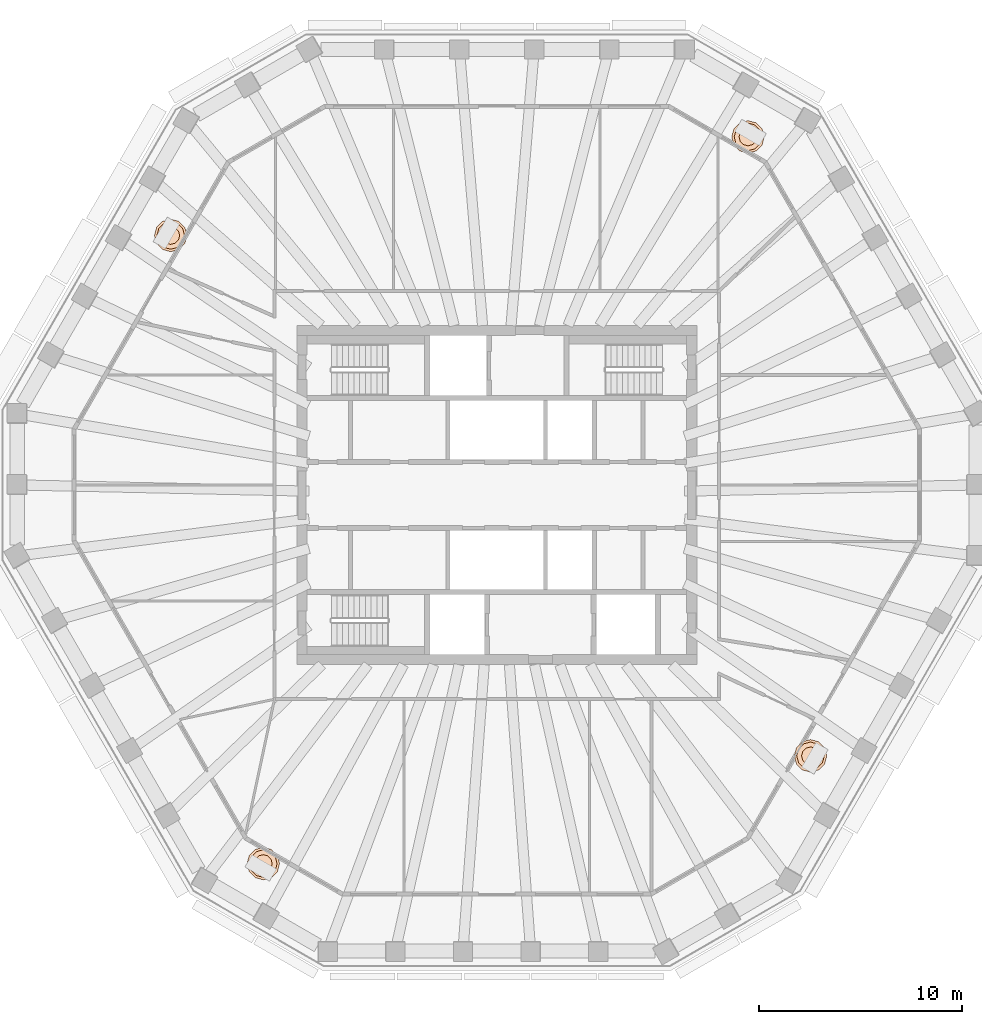
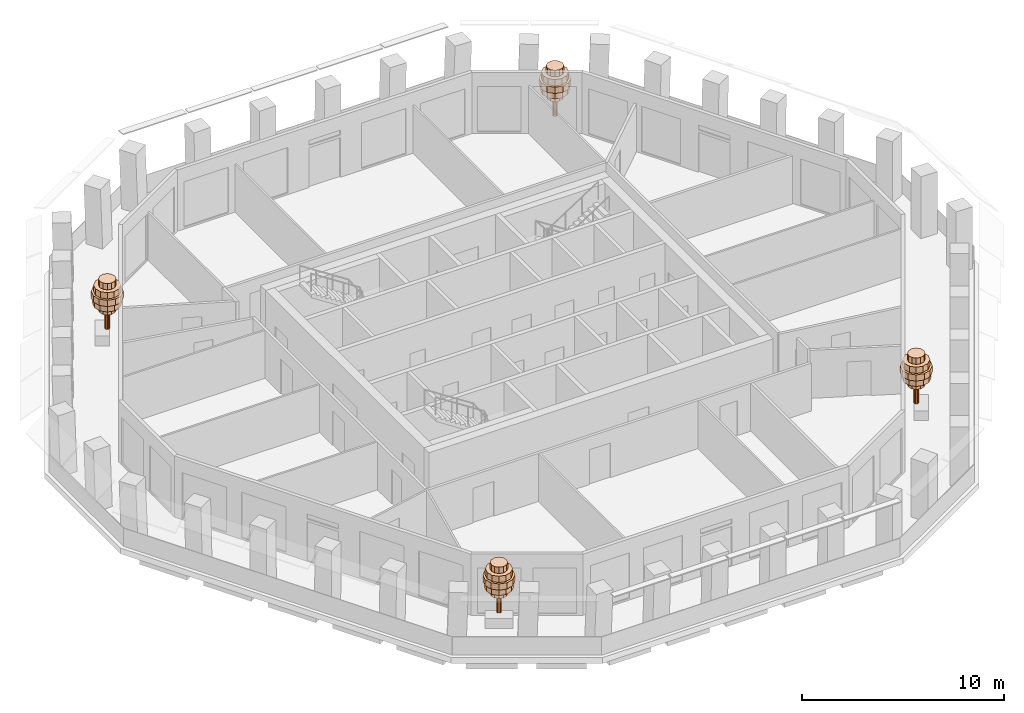
# One storey, part 11 of 11: 4 geographic elements.
"""IFC4 building model written with IfcOpenShell, lengths in metres."""

from ifc_helpers import new_model, si_unit, direction, frame, origin, place, context, subcontext, project, spatial, polyline, outline, extrude, material, type_object, element, save


model = new_model("IFC4")

# Units and contexts
model_context = context("Model", 3, precision=1e-05, world=origin(), true_north=direction((0.0, 1.0)))
body_context = subcontext(model_context, "Body", "Model", "MODEL_VIEW")
ifc_project = project(units=[si_unit("LENGTHUNIT", "METRE"), si_unit("AREAUNIT", "SQUARE_METRE"), si_unit("VOLUMEUNIT", "CUBIC_METRE"), si_unit("PLANEANGLEUNIT", "RADIAN"), si_unit("MASSUNIT", "GRAM", prefix="KILO")], contexts=[model_context])

# Site, building, storey
site_placement = place(None, origin())
site = spatial("IfcSite", under=ifc_project, at=site_placement, CompositionType="ELEMENT")
building_placement = place(site_placement, origin())
building = spatial("IfcBuilding", under=site, at=building_placement, Name="Frailejon Research Tower", CompositionType="ELEMENT")
storey_placement = place(building_placement, frame((0.0, 0.0, 279.0)))
storey = spatial("IfcBuildingStorey", under=building, at=storey_placement, Name="L61", CompositionType="ELEMENT", Elevation=279.0)

# Geographic elements
ifc_material = material(Name="Foliage, green")
geographic_element_type = type_object("IfcGeographicElementType", Name="Frailejon tree, loggia", PredefinedType="USERDEFINED", material=ifc_material)
geographic_element_1_placement = place(storey_placement, frame((12.37060546875, 17.642333984375, 0.60009765625)))
element("IfcGeographicElement", 1, at=geographic_element_1_placement, inside=storey, type_object=geographic_element_type, Name="Tree L61", ObjectType="TREE", PredefinedType="USERDEFINED", context=body_context, shape_type="SweptSolid", body=[
    extrude(outline(polyline([(0.1298828125, 0.0), (0.112548828125, 0.06494140625), (0.06494140625, 0.112548828125), (0.0, 0.1298828125), (-0.06494140625, 0.112548828125), (-0.112548828125, 0.06494140625), (-0.1298828125, 0.0), (-0.112548828125, -0.06494140625), (-0.06494140625, -0.112548828125), (0.0, -0.1298828125), (0.06494140625, -0.112548828125), (0.112548828125, -0.06494140625), (0.1298828125, 0.0)])), origin(), (0.0, 0.0, 1.0), 2.239990234375),
    extrude(outline(polyline([(0.43994140625, 0.0), (0.381103515625, 0.219970703125), (0.219970703125, 0.381103515625), (0.0, 0.43994140625), (-0.219970703125, 0.381103515625), (-0.381103515625, 0.219970703125), (-0.43994140625, 0.0), (-0.381103515625, -0.219970703125), (-0.219970703125, -0.381103515625), (0.0, -0.43994140625), (0.219970703125, -0.381103515625), (0.381103515625, -0.219970703125), (0.43994140625, 0.0)])), frame((0.0, 0.0, 1.10009765625)), (0.0, 0.0, 1.0), 0.3798828125),
    extrude(outline(polyline([(0.719970703125, 0.0), (0.62353515625, 0.360107421875), (0.360107421875, 0.62353515625), (0.0, 0.719970703125), (-0.360107421875, 0.62353515625), (-0.62353515625, 0.360107421875), (-0.719970703125, 0.0), (-0.62353515625, -0.360107421875), (-0.360107421875, -0.62353515625), (0.0, -0.719970703125), (0.360107421875, -0.62353515625), (0.62353515625, -0.360107421875), (0.719970703125, 0.0)])), frame((0.0, 0.0, 1.47998046875)), (0.0, 0.0, 1.0), 0.3798828125),
    extrude(outline(polyline([(0.800048828125, 0.0), (0.69287109375, 0.39990234375), (0.39990234375, 0.69287109375), (0.0, 0.800048828125), (-0.39990234375, 0.69287109375), (-0.69287109375, 0.39990234375), (-0.800048828125, 0.0), (-0.69287109375, -0.39990234375), (-0.39990234375, -0.69287109375), (0.0, -0.800048828125), (0.39990234375, -0.69287109375), (0.69287109375, -0.39990234375), (0.800048828125, 0.0)])), frame((0.0, 0.0, 1.860107421875)), (0.0, 0.0, 1.0), 0.3798828125),
    extrude(outline(polyline([(0.679931640625, 0.0), (0.5888671875, 0.340087890625), (0.340087890625, 0.5888671875), (0.0, 0.679931640625), (-0.340087890625, 0.5888671875), (-0.5888671875, 0.340087890625), (-0.679931640625, 0.0), (-0.5888671875, -0.340087890625), (-0.340087890625, -0.5888671875), (0.0, -0.679931640625), (0.340087890625, -0.5888671875), (0.5888671875, -0.340087890625), (0.679931640625, 0.0)])), frame((0.0, 0.0, 2.239990234375)), (0.0, 0.0, 1.0), 0.3798828125),
    extrude(outline(polyline([(0.43994140625, 0.0), (0.381103515625, 0.219970703125), (0.219970703125, 0.381103515625), (0.0, 0.43994140625), (-0.219970703125, 0.381103515625), (-0.381103515625, 0.219970703125), (-0.43994140625, 0.0), (-0.381103515625, -0.219970703125), (-0.219970703125, -0.381103515625), (0.0, -0.43994140625), (0.219970703125, -0.381103515625), (0.381103515625, -0.219970703125), (0.43994140625, 0.0)])), frame((0.0, 0.0, 2.6201171875)), (0.0, 0.0, 1.0), 0.3798828125),
])
geographic_element_2_placement = place(storey_placement, frame((-16.059814453125, 12.789306640625, 0.60009765625)))
element("IfcGeographicElement", 2, at=geographic_element_2_placement, inside=storey, type_object=geographic_element_type, Name="Tree L61", ObjectType="TREE", PredefinedType="USERDEFINED", context=body_context, shape_type="SweptSolid", body=[
    extrude(outline(polyline([(0.1298828125, 0.0), (0.112548828125, 0.06494140625), (0.06494140625, 0.112548828125), (0.0, 0.1298828125), (-0.06494140625, 0.112548828125), (-0.112548828125, 0.06494140625), (-0.1298828125, 0.0), (-0.112548828125, -0.06494140625), (-0.06494140625, -0.112548828125), (0.0, -0.1298828125), (0.06494140625, -0.112548828125), (0.112548828125, -0.06494140625), (0.1298828125, 0.0)])), origin(), (0.0, 0.0, 1.0), 2.239990234375),
    extrude(outline(polyline([(0.43994140625, 0.0), (0.381103515625, 0.219970703125), (0.219970703125, 0.381103515625), (0.0, 0.43994140625), (-0.219970703125, 0.381103515625), (-0.381103515625, 0.219970703125), (-0.43994140625, 0.0), (-0.381103515625, -0.219970703125), (-0.219970703125, -0.381103515625), (0.0, -0.43994140625), (0.219970703125, -0.381103515625), (0.381103515625, -0.219970703125), (0.43994140625, 0.0)])), frame((0.0, 0.0, 1.10009765625)), (0.0, 0.0, 1.0), 0.3798828125),
    extrude(outline(polyline([(0.719970703125, 0.0), (0.62353515625, 0.360107421875), (0.360107421875, 0.62353515625), (0.0, 0.719970703125), (-0.360107421875, 0.62353515625), (-0.62353515625, 0.360107421875), (-0.719970703125, 0.0), (-0.62353515625, -0.360107421875), (-0.360107421875, -0.62353515625), (0.0, -0.719970703125), (0.360107421875, -0.62353515625), (0.62353515625, -0.360107421875), (0.719970703125, 0.0)])), frame((0.0, 0.0, 1.47998046875)), (0.0, 0.0, 1.0), 0.3798828125),
    extrude(outline(polyline([(0.800048828125, 0.0), (0.69287109375, 0.39990234375), (0.39990234375, 0.69287109375), (0.0, 0.800048828125), (-0.39990234375, 0.69287109375), (-0.69287109375, 0.39990234375), (-0.800048828125, 0.0), (-0.69287109375, -0.39990234375), (-0.39990234375, -0.69287109375), (0.0, -0.800048828125), (0.39990234375, -0.69287109375), (0.69287109375, -0.39990234375), (0.800048828125, 0.0)])), frame((0.0, 0.0, 1.860107421875)), (0.0, 0.0, 1.0), 0.3798828125),
    extrude(outline(polyline([(0.679931640625, 0.0), (0.5888671875, 0.340087890625), (0.340087890625, 0.5888671875), (0.0, 0.679931640625), (-0.340087890625, 0.5888671875), (-0.5888671875, 0.340087890625), (-0.679931640625, 0.0), (-0.5888671875, -0.340087890625), (-0.340087890625, -0.5888671875), (0.0, -0.679931640625), (0.340087890625, -0.5888671875), (0.5888671875, -0.340087890625), (0.679931640625, 0.0)])), frame((0.0, 0.0, 2.239990234375)), (0.0, 0.0, 1.0), 0.3798828125),
    extrude(outline(polyline([(0.43994140625, 0.0), (0.381103515625, 0.219970703125), (0.219970703125, 0.381103515625), (0.0, 0.43994140625), (-0.219970703125, 0.381103515625), (-0.381103515625, 0.219970703125), (-0.43994140625, 0.0), (-0.381103515625, -0.219970703125), (-0.219970703125, -0.381103515625), (0.0, -0.43994140625), (0.219970703125, -0.381103515625), (0.381103515625, -0.219970703125), (0.43994140625, 0.0)])), frame((0.0, 0.0, 2.6201171875)), (0.0, 0.0, 1.0), 0.3798828125),
])
geographic_element_3_placement = place(storey_placement, frame((-11.499755859375, -18.145263671875, 0.60009765625)))
element("IfcGeographicElement", 3, at=geographic_element_3_placement, inside=storey, type_object=geographic_element_type, Name="Tree L61", ObjectType="TREE", PredefinedType="USERDEFINED", context=body_context, shape_type="SweptSolid", body=[
    extrude(outline(polyline([(0.1298828125, 0.0), (0.112548828125, 0.06494140625), (0.06494140625, 0.112548828125), (0.0, 0.1298828125), (-0.06494140625, 0.112548828125), (-0.112548828125, 0.06494140625), (-0.1298828125, 0.0), (-0.112548828125, -0.06494140625), (-0.06494140625, -0.112548828125), (0.0, -0.1298828125), (0.06494140625, -0.112548828125), (0.112548828125, -0.06494140625), (0.1298828125, 0.0)])), origin(), (0.0, 0.0, 1.0), 2.239990234375),
    extrude(outline(polyline([(0.43994140625, 0.0), (0.381103515625, 0.219970703125), (0.219970703125, 0.381103515625), (0.0, 0.43994140625), (-0.219970703125, 0.381103515625), (-0.381103515625, 0.219970703125), (-0.43994140625, 0.0), (-0.381103515625, -0.219970703125), (-0.219970703125, -0.381103515625), (0.0, -0.43994140625), (0.219970703125, -0.381103515625), (0.381103515625, -0.219970703125), (0.43994140625, 0.0)])), frame((0.0, 0.0, 1.10009765625)), (0.0, 0.0, 1.0), 0.3798828125),
    extrude(outline(polyline([(0.719970703125, 0.0), (0.62353515625, 0.360107421875), (0.360107421875, 0.62353515625), (0.0, 0.719970703125), (-0.360107421875, 0.62353515625), (-0.62353515625, 0.360107421875), (-0.719970703125, 0.0), (-0.62353515625, -0.360107421875), (-0.360107421875, -0.62353515625), (0.0, -0.719970703125), (0.360107421875, -0.62353515625), (0.62353515625, -0.360107421875), (0.719970703125, 0.0)])), frame((0.0, 0.0, 1.47998046875)), (0.0, 0.0, 1.0), 0.3798828125),
    extrude(outline(polyline([(0.800048828125, 0.0), (0.69287109375, 0.39990234375), (0.39990234375, 0.69287109375), (0.0, 0.800048828125), (-0.39990234375, 0.69287109375), (-0.69287109375, 0.39990234375), (-0.800048828125, 0.0), (-0.69287109375, -0.39990234375), (-0.39990234375, -0.69287109375), (0.0, -0.800048828125), (0.39990234375, -0.69287109375), (0.69287109375, -0.39990234375), (0.800048828125, 0.0)])), frame((0.0, 0.0, 1.860107421875)), (0.0, 0.0, 1.0), 0.3798828125),
    extrude(outline(polyline([(0.679931640625, 0.0), (0.5888671875, 0.340087890625), (0.340087890625, 0.5888671875), (0.0, 0.679931640625), (-0.340087890625, 0.5888671875), (-0.5888671875, 0.340087890625), (-0.679931640625, 0.0), (-0.5888671875, -0.340087890625), (-0.340087890625, -0.5888671875), (0.0, -0.679931640625), (0.340087890625, -0.5888671875), (0.5888671875, -0.340087890625), (0.679931640625, 0.0)])), frame((0.0, 0.0, 2.239990234375)), (0.0, 0.0, 1.0), 0.3798828125),
    extrude(outline(polyline([(0.43994140625, 0.0), (0.381103515625, 0.219970703125), (0.219970703125, 0.381103515625), (0.0, 0.43994140625), (-0.219970703125, 0.381103515625), (-0.381103515625, 0.219970703125), (-0.43994140625, 0.0), (-0.381103515625, -0.219970703125), (-0.219970703125, -0.381103515625), (0.0, -0.43994140625), (0.219970703125, -0.381103515625), (0.381103515625, -0.219970703125), (0.43994140625, 0.0)])), frame((0.0, 0.0, 2.6201171875)), (0.0, 0.0, 1.0), 0.3798828125),
])
geographic_element_4_placement = place(storey_placement, frame((15.449951171875, -12.839599609375, 0.60009765625)))
element("IfcGeographicElement", 4, at=geographic_element_4_placement, inside=storey, type_object=geographic_element_type, Name="Tree L61", ObjectType="TREE", PredefinedType="USERDEFINED", context=body_context, shape_type="SweptSolid", body=[
    extrude(outline(polyline([(0.1298828125, 0.0), (0.112548828125, 0.06494140625), (0.06494140625, 0.112548828125), (0.0, 0.1298828125), (-0.06494140625, 0.112548828125), (-0.112548828125, 0.06494140625), (-0.1298828125, 0.0), (-0.112548828125, -0.06494140625), (-0.06494140625, -0.112548828125), (0.0, -0.1298828125), (0.06494140625, -0.112548828125), (0.112548828125, -0.06494140625), (0.1298828125, 0.0)])), origin(), (0.0, 0.0, 1.0), 2.239990234375),
    extrude(outline(polyline([(0.43994140625, 0.0), (0.381103515625, 0.219970703125), (0.219970703125, 0.381103515625), (0.0, 0.43994140625), (-0.219970703125, 0.381103515625), (-0.381103515625, 0.219970703125), (-0.43994140625, 0.0), (-0.381103515625, -0.219970703125), (-0.219970703125, -0.381103515625), (0.0, -0.43994140625), (0.219970703125, -0.381103515625), (0.381103515625, -0.219970703125), (0.43994140625, 0.0)])), frame((0.0, 0.0, 1.10009765625)), (0.0, 0.0, 1.0), 0.3798828125),
    extrude(outline(polyline([(0.719970703125, 0.0), (0.62353515625, 0.360107421875), (0.360107421875, 0.62353515625), (0.0, 0.719970703125), (-0.360107421875, 0.62353515625), (-0.62353515625, 0.360107421875), (-0.719970703125, 0.0), (-0.62353515625, -0.360107421875), (-0.360107421875, -0.62353515625), (0.0, -0.719970703125), (0.360107421875, -0.62353515625), (0.62353515625, -0.360107421875), (0.719970703125, 0.0)])), frame((0.0, 0.0, 1.47998046875)), (0.0, 0.0, 1.0), 0.3798828125),
    extrude(outline(polyline([(0.800048828125, 0.0), (0.69287109375, 0.39990234375), (0.39990234375, 0.69287109375), (0.0, 0.800048828125), (-0.39990234375, 0.69287109375), (-0.69287109375, 0.39990234375), (-0.800048828125, 0.0), (-0.69287109375, -0.39990234375), (-0.39990234375, -0.69287109375), (0.0, -0.800048828125), (0.39990234375, -0.69287109375), (0.69287109375, -0.39990234375), (0.800048828125, 0.0)])), frame((0.0, 0.0, 1.860107421875)), (0.0, 0.0, 1.0), 0.3798828125),
    extrude(outline(polyline([(0.679931640625, 0.0), (0.5888671875, 0.340087890625), (0.340087890625, 0.5888671875), (0.0, 0.679931640625), (-0.340087890625, 0.5888671875), (-0.5888671875, 0.340087890625), (-0.679931640625, 0.0), (-0.5888671875, -0.340087890625), (-0.340087890625, -0.5888671875), (0.0, -0.679931640625), (0.340087890625, -0.5888671875), (0.5888671875, -0.340087890625), (0.679931640625, 0.0)])), frame((0.0, 0.0, 2.239990234375)), (0.0, 0.0, 1.0), 0.3798828125),
    extrude(outline(polyline([(0.43994140625, 0.0), (0.381103515625, 0.219970703125), (0.219970703125, 0.381103515625), (0.0, 0.43994140625), (-0.219970703125, 0.381103515625), (-0.381103515625, 0.219970703125), (-0.43994140625, 0.0), (-0.381103515625, -0.219970703125), (-0.219970703125, -0.381103515625), (0.0, -0.43994140625), (0.219970703125, -0.381103515625), (0.381103515625, -0.219970703125), (0.43994140625, 0.0)])), frame((0.0, 0.0, 2.6201171875)), (0.0, 0.0, 1.0), 0.3798828125),
])

save(model, "model.ifc")
